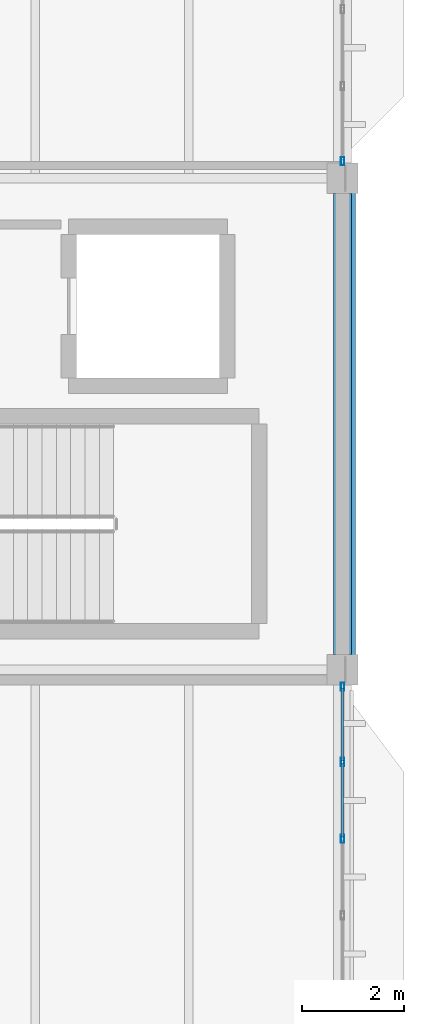
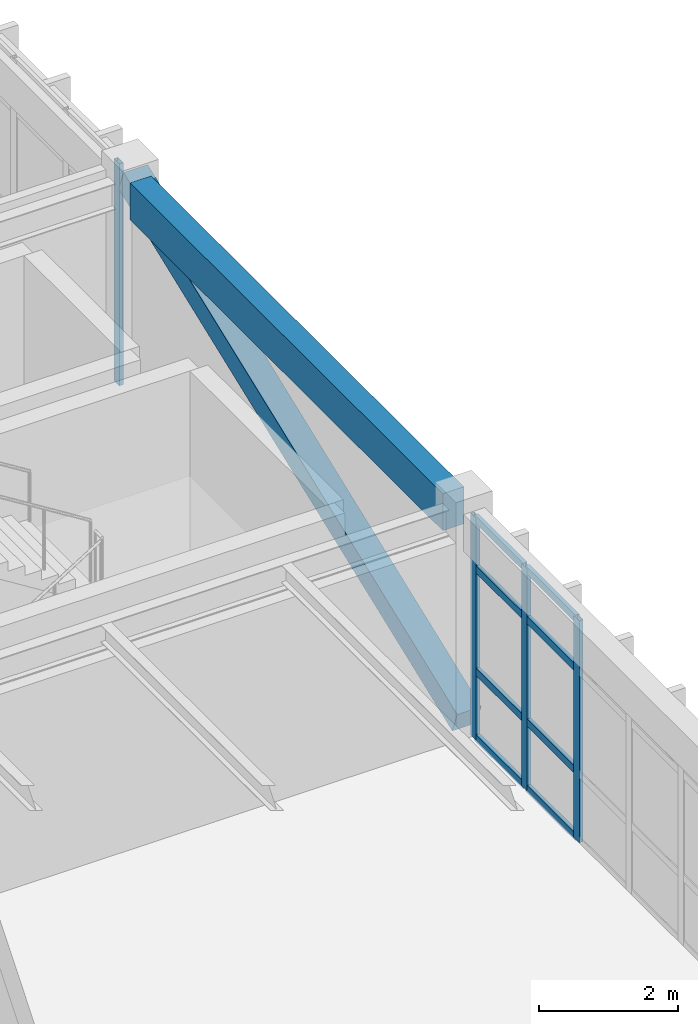
# One storey, part 51 of 83: 13 members, 1 beam, 2 elements without a shape of their own.
"""IFC4 building model written with IfcOpenShell, lengths in metres."""

from ifc_helpers import new_model, si_unit, direction, frame, origin, origin_2d, place, context, subcontext, project, spatial, rectangle, hollow_rectangle, extrude, material, layer, layer_set, material_profile, profile_set, type_object, element, aggregate, save


model = new_model("IFC4")

# Units and contexts
model_context = context("Model", 3, precision=1e-05, world=origin(), true_north=direction((0.0, 1.0)))
body_context = subcontext(model_context, "Body", "Model", "MODEL_VIEW")
ifc_project = project(units=[si_unit("LENGTHUNIT", "METRE"), si_unit("AREAUNIT", "SQUARE_METRE"), si_unit("VOLUMEUNIT", "CUBIC_METRE"), si_unit("PLANEANGLEUNIT", "RADIAN"), si_unit("MASSUNIT", "GRAM", prefix="KILO")], contexts=[model_context])

# Site, building, storey
site_placement = place(None, origin())
site = spatial("IfcSite", under=ifc_project, at=site_placement, CompositionType="ELEMENT")
building_placement = place(site_placement, origin())
building = spatial("IfcBuilding", under=site, at=building_placement, Name="Pandanus Reach Market Hall", CompositionType="ELEMENT")
storey_placement = place(building_placement, frame((0.0, 0.0, 10.199951171875)))
storey = spatial("IfcBuildingStorey", under=building, at=storey_placement, Name="L02", CompositionType="ELEMENT", Elevation=10.199951171875)

# Beam
ifc_material_1 = material(Name="Concrete N40 (40 MPa)", Category="concrete")
ifc_material_profile_1 = material_profile(ifc_material_1, rectangle(XDim=0.35009765625, YDim=0.64990234375, at=origin_2d()), Name="RC350x650", Category="LoadBearing")
ifc_profile_set_1 = profile_set([ifc_material_profile_1], Name="Concrete N40 (40 MPa)")
beam_type = type_object("IfcBeamType", Name="BM-RC350-E", PredefinedType="SPANDREL", material=ifc_profile_set_1)
beam_placement = place(storey_placement, frame((180.0, 67.498046875, 3.625), z_axis=(0.0, 1.0, 0.0), x_axis=(-1.0, 0.0, 0.0)))
element("IfcBeam", 1, at=beam_placement, inside=storey, type_object=beam_type, Name="Framing beam BM-RC350-E L02.487", PredefinedType="SPANDREL", context=body_context, shape_type="SweptSolid", body=[
    extrude(rectangle(XDim=0.35009765625, YDim=0.64990234375, at=origin_2d()), origin(), (0.0, 0.0, 1.0), 9.00390625),
])

# Curtain wall, members
ifc_material_2 = material(Name="Bronze anodised aluminium and low-E glass", Category="aluminium")
ifc_layer = layer(ifc_material_2, 0.159912109375, Name="CW-32")
ifc_layer_set = layer_set([ifc_layer], Name="Bronze anodised aluminium and low-E glass")
curtain_wall_type = type_object("IfcCurtainWallType", Name="CW-32", PredefinedType="NOTDEFINED", material=ifc_layer_set)
curtain_wall_1_placement = place(storey_placement, origin())
curtain_wall_1 = element("IfcCurtainWall", 2, at=curtain_wall_1_placement, inside=storey, type_object=curtain_wall_type, Name="Glazed curtain wall CW-32 CW-0107", PredefinedType="NOTDEFINED")
ifc_material_3 = material(Name="Bronze anodised aluminium", Category="aluminium")
ifc_material_profile_2 = material_profile(ifc_material_3, hollow_rectangle(XDim=0.06494140625, YDim=0.159912109375, WallThickness=0.00390625, at=origin_2d()), Name="ALU65x160", Category="LoadBearing")
ifc_profile_set_2 = profile_set([ifc_material_profile_2], Name="Bronze anodised aluminium")
member_type_1 = type_object("IfcMemberType", Name="CW-M1", PredefinedType="MULLION", material=ifc_profile_set_2)
member_1_placement = place(storey_placement, frame((180.0, 63.89990234375, 0.0), z_axis=(0.0, 0.0, 1.0), x_axis=(-1.0, 0.0, 0.0)))
member_1 = element("IfcMember", 3, at=member_1_placement, type_object=member_type_1, Name="CW-32 mullion 5", PredefinedType="MULLION", context=body_context, shape_type="SweptSolid", body=[
    extrude(hollow_rectangle(XDim=0.06494140625, YDim=0.159912109375, WallThickness=0.00390625, at=origin_2d()), origin(), (0.0, 0.0, 1.0), 3.900146484375),
])
member_2_placement = place(storey_placement, frame((180.0, 65.39990234375, 0.0), z_axis=(0.0, 0.0, 1.0), x_axis=(-1.0, 0.0, 0.0)))
member_2 = element("IfcMember", 4, at=member_2_placement, type_object=member_type_1, Name="CW-32 mullion 6", PredefinedType="MULLION", context=body_context, shape_type="SweptSolid", body=[
    extrude(hollow_rectangle(XDim=0.06494140625, YDim=0.159912109375, WallThickness=0.00390625, at=origin_2d()), origin(), (0.0, 0.0, 1.0), 3.900146484375),
])
member_3_placement = place(storey_placement, frame((180.0, 66.867431640625, 0.0), z_axis=(0.0, 0.0, 1.0), x_axis=(-1.0, 0.0, 0.0)))
member_3 = element("IfcMember", 5, at=member_3_placement, type_object=member_type_1, Name="CW-32 mullion 7", PredefinedType="MULLION", context=body_context, shape_type="SweptSolid", body=[
    extrude(hollow_rectangle(XDim=0.06494140625, YDim=0.159912109375, WallThickness=0.00390625, at=origin_2d()), origin(), (0.0, 0.0, 1.0), 3.900146484375),
])

# Curtain wall, member
curtain_wall_2_placement = place(storey_placement, origin())
curtain_wall_2 = element("IfcCurtainWall", 6, at=curtain_wall_2_placement, inside=storey, type_object=curtain_wall_type, Name="Glazed curtain wall CW-32 CW-0108", PredefinedType="NOTDEFINED")
member_4_placement = place(storey_placement, frame((180.0, 77.132568359375, 0.0), z_axis=(0.0, 0.0, 1.0), x_axis=(-1.0, 0.0, 0.0)))
member_4 = element("IfcMember", 7, at=member_4_placement, type_object=member_type_1, Name="CW-32 mullion 1", PredefinedType="MULLION", context=body_context, shape_type="SweptSolid", body=[
    extrude(hollow_rectangle(XDim=0.06494140625, YDim=0.159912109375, WallThickness=0.00390625, at=origin_2d()), origin(), (0.0, 0.0, 1.0), 3.900146484375),
])
aggregate(curtain_wall_2, [member_4])

# Member
ifc_material_profile_3 = material_profile(ifc_material_3, hollow_rectangle(XDim=0.06494140625, YDim=0.1298828125, WallThickness=0.00390625, at=origin_2d()), Name="ALU65x130", Category="LoadBearing")
ifc_profile_set_3 = profile_set([ifc_material_profile_3], Name="Bronze anodised aluminium")
member_type_2 = type_object("IfcMemberType", Name="CW-T1", PredefinedType="USERDEFINED", material=ifc_profile_set_3)
member_5_placement = place(storey_placement, frame((180.0, 63.9326171875, 0.032470703125), z_axis=(0.0, 1.0, 0.0), x_axis=(-1.0, 0.0, 0.0)))
member_5 = element("IfcMember", 8, at=member_5_placement, type_object=member_type_2, Name="CW-32 transom 5.1", ObjectType="TRANSOM", PredefinedType="USERDEFINED", context=body_context, shape_type="SweptSolid", body=[
    extrude(hollow_rectangle(XDim=0.06494140625, YDim=0.1298828125, WallThickness=0.00390625, at=origin_2d()), origin(), (0.0, 0.0, 1.0), 1.434814453125),
])

member_6_placement = place(storey_placement, frame((180.0, 63.9326171875, 1.199951171875), z_axis=(0.0, 1.0, 0.0), x_axis=(-1.0, 0.0, 0.0)))
member_6 = element("IfcMember", 9, at=member_6_placement, type_object=member_type_2, Name="CW-32 transom 5.2", ObjectType="TRANSOM", PredefinedType="USERDEFINED", context=body_context, shape_type="SweptSolid", body=[
    extrude(hollow_rectangle(XDim=0.06494140625, YDim=0.1298828125, WallThickness=0.00390625, at=origin_2d()), origin(), (0.0, 0.0, 1.0), 1.434814453125),
])

member_7_placement = place(storey_placement, frame((180.0, 63.9326171875, 3.0), z_axis=(0.0, 1.0, 0.0), x_axis=(-1.0, 0.0, 0.0)))
member_7 = element("IfcMember", 10, at=member_7_placement, type_object=member_type_2, Name="CW-32 transom 5.3", ObjectType="TRANSOM", PredefinedType="USERDEFINED", context=body_context, shape_type="SweptSolid", body=[
    extrude(hollow_rectangle(XDim=0.06494140625, YDim=0.1298828125, WallThickness=0.00390625, at=origin_2d()), origin(), (0.0, 0.0, 1.0), 1.434814453125),
])

member_8_placement = place(storey_placement, frame((180.0, 63.9326171875, 3.867431640625), z_axis=(0.0, 1.0, 0.0), x_axis=(-1.0, 0.0, 0.0)))
member_8 = element("IfcMember", 11, at=member_8_placement, type_object=member_type_2, Name="CW-32 transom 5.4", ObjectType="TRANSOM", PredefinedType="USERDEFINED", context=body_context, shape_type="SweptSolid", body=[
    extrude(hollow_rectangle(XDim=0.06494140625, YDim=0.1298828125, WallThickness=0.00390625, at=origin_2d()), origin(), (0.0, 0.0, 1.0), 1.434814453125),
])

member_9_placement = place(storey_placement, frame((180.0, 65.4326171875, 0.032470703125), z_axis=(0.0, 1.0, 0.0), x_axis=(-1.0, 0.0, 0.0)))
member_9 = element("IfcMember", 12, at=member_9_placement, type_object=member_type_2, Name="CW-32 transom 6.1", ObjectType="TRANSOM", PredefinedType="USERDEFINED", context=body_context, shape_type="SweptSolid", body=[
    extrude(hollow_rectangle(XDim=0.06494140625, YDim=0.1298828125, WallThickness=0.00390625, at=origin_2d()), origin(), (0.0, 0.0, 1.0), 1.40234375),
])

member_10_placement = place(storey_placement, frame((180.0, 65.4326171875, 1.199951171875), z_axis=(0.0, 1.0, 0.0), x_axis=(-1.0, 0.0, 0.0)))
member_10 = element("IfcMember", 13, at=member_10_placement, type_object=member_type_2, Name="CW-32 transom 6.2", ObjectType="TRANSOM", PredefinedType="USERDEFINED", context=body_context, shape_type="SweptSolid", body=[
    extrude(hollow_rectangle(XDim=0.06494140625, YDim=0.1298828125, WallThickness=0.00390625, at=origin_2d()), origin(), (0.0, 0.0, 1.0), 1.40234375),
])

member_11_placement = place(storey_placement, frame((180.0, 65.4326171875, 3.0), z_axis=(0.0, 1.0, 0.0), x_axis=(-1.0, 0.0, 0.0)))
member_11 = element("IfcMember", 14, at=member_11_placement, type_object=member_type_2, Name="CW-32 transom 6.3", ObjectType="TRANSOM", PredefinedType="USERDEFINED", context=body_context, shape_type="SweptSolid", body=[
    extrude(hollow_rectangle(XDim=0.06494140625, YDim=0.1298828125, WallThickness=0.00390625, at=origin_2d()), origin(), (0.0, 0.0, 1.0), 1.40234375),
])

member_12_placement = place(storey_placement, frame((180.0, 65.4326171875, 3.867431640625), z_axis=(0.0, 1.0, 0.0), x_axis=(-1.0, 0.0, 0.0)))
member_12 = element("IfcMember", 15, at=member_12_placement, type_object=member_type_2, Name="CW-32 transom 6.4", ObjectType="TRANSOM", PredefinedType="USERDEFINED", context=body_context, shape_type="SweptSolid", body=[
    extrude(hollow_rectangle(XDim=0.06494140625, YDim=0.1298828125, WallThickness=0.00390625, at=origin_2d()), origin(), (0.0, 0.0, 1.0), 1.40234375),
])

aggregate(curtain_wall_1, [member_1, member_2, member_3, member_5, member_6, member_7, member_8, member_9, member_10, member_11, member_12])

ifc_material_4 = material(Name="Concrete N50 (50 MPa)", Category="concrete")
ifc_material_profile_4 = material_profile(ifc_material_4, rectangle(XDim=0.39990234375, YDim=0.39990234375, at=origin_2d()), Name="RC400x400", Category="LoadBearing")
ifc_profile_set_4 = profile_set([ifc_material_profile_4], Name="Concrete N50 (50 MPa)")
member_type_3 = type_object("IfcMemberType", Name="VS-RC400-E", PredefinedType="STRUT", material=ifc_profile_set_4)
member_13_placement = place(storey_placement, frame((180.050048828125, 67.199951171875, 0.10009765625), z_axis=(0.0, 0.933097690408, 0.359622997257), x_axis=(-1.0, 0.0, 0.0)))
element("IfcMember", 16, at=member_13_placement, inside=storey, type_object=member_type_3, Name="Sculpted concrete diagrid rib 4", PredefinedType="STRUT", context=body_context, shape_type="SweptSolid", body=[
    extrude(rectangle(XDim=0.39990234375, YDim=0.39990234375, at=origin_2d()), origin(), (0.0, 0.0, 1.0), 10.288330078125),
])

save(model, "model.ifc")
